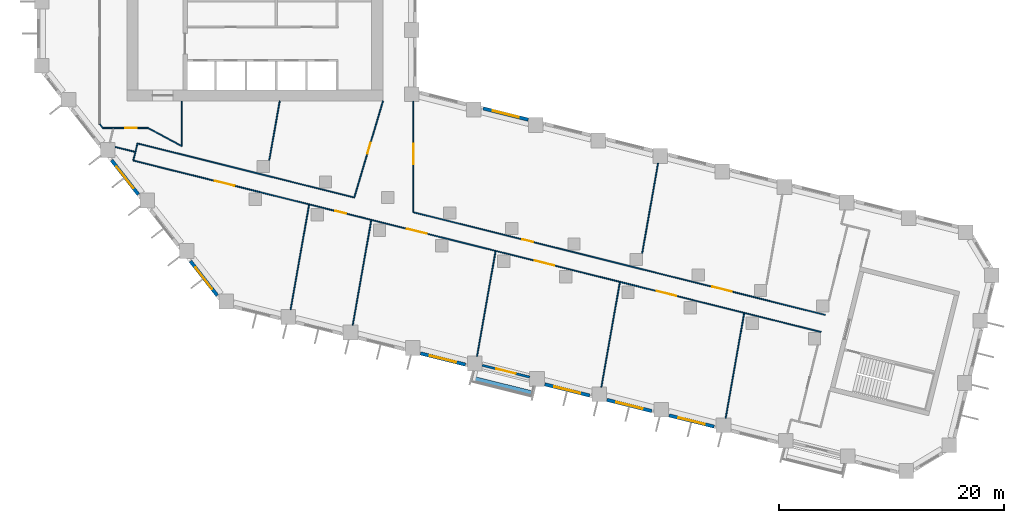
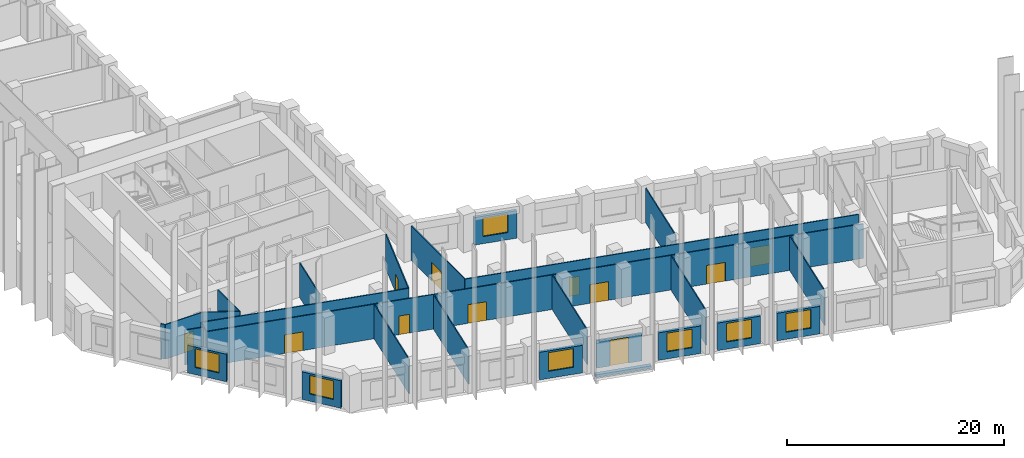
# One storey, part 3 of 10: 27 walls, 11 doors, 7 windows, 18 openings.
"""IFC4 building model written with IfcOpenShell, lengths in metres."""

from ifc_helpers import new_model, si_unit, direction, frame, frame_2d, origin, place, context, subcontext, project, spatial, rectangle, extrude, material, layer, layer_set, type_object, element, fill, save


model = new_model("IFC4")

# Units and contexts
model_context = context("Model", 3, precision=1e-05, world=origin(), true_north=direction((0.0, 1.0)))
body_context = subcontext(model_context, "Body", "Model", "MODEL_VIEW")
ifc_project = project(units=[si_unit("LENGTHUNIT", "METRE"), si_unit("AREAUNIT", "SQUARE_METRE"), si_unit("VOLUMEUNIT", "CUBIC_METRE"), si_unit("PLANEANGLEUNIT", "RADIAN"), si_unit("MASSUNIT", "GRAM", prefix="KILO")], contexts=[model_context])

# Site, building, storey
site_placement = place(None, origin())
site = spatial("IfcSite", under=ifc_project, at=site_placement, CompositionType="ELEMENT")
building_placement = place(site_placement, origin())
building = spatial("IfcBuilding", under=site, at=building_placement, Name="Meshkara Civic Tower", CompositionType="ELEMENT")
storey_placement = place(building_placement, frame((0.0, 0.0, 114.0)))
storey = spatial("IfcBuildingStorey", under=building, at=storey_placement, Name="L25", CompositionType="ELEMENT", Elevation=114.0)

# Wall
ifc_material_1 = material(Name="Corridor wall 100")
ifc_layer_1 = layer(ifc_material_1, 0.10009765625)
ifc_layer_set_1 = layer_set([ifc_layer_1], Name="Corridor wall 100")
wall_type_1 = type_object("IfcWallType", Name="Corridor wall 100", PredefinedType="PARTITIONING", material=ifc_layer_set_1)
wall_1_placement = place(storey_placement, frame((5.60009765625, 12.04296875, 0.0), z_axis=(0.0, 0.0, 1.0), x_axis=(0.615415398102, -0.788202948344, 0.0)))
element("IfcWall", 1, at=wall_1_placement, inside=storey, type_object=wall_type_1, Name="L25-W003", PredefinedType="PARTITIONING", context=body_context, shape_type="SweptSolid", body=[
    extrude(rectangle(XDim=0.435302734375, YDim=0.10009765625, at=frame_2d((0.2177734375, 0.0))), origin(), (0.0, 0.0, 1.0), 3.89990234375),
])

# Wall, opening, door
wall_2_placement = place(storey_placement, frame((5.867919921875, 11.699951171875, 0.0), z_axis=(0.0, 0.0, 1.0), x_axis=(1.0, 0.0, 0.0)))
wall_2 = element("IfcWall", 2, at=wall_2_placement, inside=storey, type_object=wall_type_1, Name="L25-W006", PredefinedType="PARTITIONING", context=body_context, shape_type="SweptSolid", body=[
    extrude(rectangle(XDim=4.031982421875, YDim=0.10009765625, at=frame_2d((2.01611328125, 0.0))), origin(), (0.0, 0.0, 1.0), 3.89990234375),
])
opening_1_placement = place(wall_2_placement, frame((2.009033203125, 0.0, 0.0)))
opening_1 = element("IfcOpeningElement", 3, at=opening_1_placement, cuts=wall_2, Name="Opening L25-D011", PredefinedType="OPENING", context=body_context, shape_type="SweptSolid", body=[
    extrude(rectangle(XDim=1.0, YDim=2.10009765625, at=frame_2d((0.5, 1.050048828125))), frame((0.0, 0.06005859375, 0.0), z_axis=(0.0, -1.0, 0.0), x_axis=(1.0, 0.0, 0.0)), (0.0, 0.0, 1.0), 0.1201171875),
])
ifc_material_2 = material(Name="Door 1000 x 2100")
door_type_1 = type_object("IfcDoorType", Name="Door 1000 x 2100", OperationType="SINGLE_SWING_LEFT", PredefinedType="DOOR", material=ifc_material_2)
door_1_placement = place(opening_1_placement, origin())
door_1 = element("IfcDoor", 4, at=door_1_placement, inside=storey, type_object=door_type_1, Name="L25-D011", OperationType="SINGLE_SWING_LEFT", OverallHeight=2.10009765625, OverallWidth=1.0, PredefinedType="DOOR", context=body_context, shape_type="SweptSolid", body=[
    extrude(rectangle(XDim=1.0, YDim=2.10009765625, at=frame_2d((0.5, 1.050048828125))), frame((0.0, 0.02490234375, 0.0), z_axis=(0.0, -1.0, 0.0), x_axis=(1.0, 0.0, 0.0)), (0.0, 0.0, 1.0), 0.050048828125),
])
fill(opening_1, door_1)

# Wall, openings, doors
wall_3_placement = place(storey_placement, frame((8.5791015625, 8.802978515625, 0.0), z_axis=(0.0, 0.0, 1.0), x_axis=(0.9702968999, -0.241917188404, 0.0)))
wall_3 = element("IfcWall", 5, at=wall_3_placement, inside=storey, type_object=wall_type_1, Name="L25-W009", PredefinedType="PARTITIONING", context=body_context, shape_type="SweptSolid", body=[
    extrude(rectangle(XDim=63.075439453125, YDim=0.10009765625, at=frame_2d((31.53759765625, 0.0))), origin(), (0.0, 0.0, 1.0), 3.89990234375),
])
opening_2_placement = place(wall_3_placement, frame((36.81005859375, 0.0, 0.0)))
opening_2 = element("IfcOpeningElement", 6, at=opening_2_placement, cuts=wall_3, Name="Opening L25-D003", PredefinedType="OPENING", context=body_context, shape_type="SweptSolid", body=[
    extrude(rectangle(XDim=1.800048828125, YDim=2.10009765625, at=frame_2d((0.89990234375, 1.050048828125))), frame((0.0, 0.06005859375, 0.0), z_axis=(0.0, -1.0, 0.0), x_axis=(1.0, 0.0, 0.0)), (0.0, 0.0, 1.0), 0.1201171875),
])
opening_3_placement = place(wall_3_placement, frame((48.010986328125, 0.0, 0.0)))
opening_3 = element("IfcOpeningElement", 7, at=opening_3_placement, cuts=wall_3, Name="Opening L25-D004", PredefinedType="OPENING", context=body_context, shape_type="SweptSolid", body=[
    extrude(rectangle(XDim=1.800048828125, YDim=2.10009765625, at=frame_2d((0.89990234375, 1.050048828125))), frame((0.0, 0.06005859375, 0.0), z_axis=(0.0, -1.0, 0.0), x_axis=(1.0, 0.0, 0.0)), (0.0, 0.0, 1.0), 0.1201171875),
])
opening_4_placement = place(wall_3_placement, frame((18.510009765625, 0.0, 0.0)))
opening_4 = element("IfcOpeningElement", 8, at=opening_4_placement, cuts=wall_3, Name="Opening L25-D007", PredefinedType="OPENING", context=body_context, shape_type="SweptSolid", body=[
    extrude(rectangle(XDim=1.0, YDim=2.10009765625, at=frame_2d((0.5, 1.050048828125))), frame((0.0, 0.06005859375, 0.0), z_axis=(0.0, -1.0, 0.0), x_axis=(1.0, 0.0, 0.0)), (0.0, 0.0, 1.0), 0.1201171875),
])
opening_5_placement = place(wall_3_placement, frame((25.110107421875, 0.0, 0.0)))
opening_5 = element("IfcOpeningElement", 9, at=opening_5_placement, cuts=wall_3, Name="Opening L25-D008", PredefinedType="OPENING", context=body_context, shape_type="SweptSolid", body=[
    extrude(rectangle(XDim=1.800048828125, YDim=2.10009765625, at=frame_2d((0.89990234375, 1.050048828125))), frame((0.0, 0.06005859375, 0.0), z_axis=(0.0, -1.0, 0.0), x_axis=(1.0, 0.0, 0.0)), (0.0, 0.0, 1.0), 0.1201171875),
])
opening_6_placement = place(wall_3_placement, frame((7.47998046875, 0.0, 0.0)))
opening_6 = element("IfcOpeningElement", 10, at=opening_6_placement, cuts=wall_3, Name="Opening L25-D012", PredefinedType="OPENING", context=body_context, shape_type="SweptSolid", body=[
    extrude(rectangle(XDim=1.800048828125, YDim=2.10009765625, at=frame_2d((0.89990234375, 1.050048828125))), frame((0.0, 0.06005859375, 0.0), z_axis=(0.0, -1.0, 0.0), x_axis=(1.0, 0.0, 0.0)), (0.0, 0.0, 1.0), 0.1201171875),
])
door_2_placement = place(opening_4_placement, origin())
door_2 = element("IfcDoor", 11, at=door_2_placement, inside=storey, type_object=door_type_1, Name="L25-D007", OperationType="SINGLE_SWING_LEFT", OverallHeight=2.10009765625, OverallWidth=1.0, PredefinedType="DOOR", context=body_context, shape_type="SweptSolid", body=[
    extrude(rectangle(XDim=1.0, YDim=2.10009765625, at=frame_2d((0.5, 1.050048828125))), frame((0.0, 0.02490234375, 0.0), z_axis=(0.0, -1.0, 0.0), x_axis=(1.0, 0.0, 0.0)), (0.0, 0.0, 1.0), 0.050048828125),
])
fill(opening_4, door_2)
ifc_material_3 = material(Name="Door pair 1800 x 2100")
door_type_2 = type_object("IfcDoorType", Name="Door pair 1800 x 2100", OperationType="SINGLE_SWING_LEFT", PredefinedType="DOOR", material=ifc_material_3)
door_3_placement = place(opening_2_placement, origin())
door_3 = element("IfcDoor", 12, at=door_3_placement, inside=storey, type_object=door_type_2, Name="L25-D003", OperationType="DOUBLE_DOOR_SINGLE_SWING", OverallHeight=2.10009765625, OverallWidth=1.800048828125, PredefinedType="DOOR", context=body_context, shape_type="SweptSolid", body=[
    extrude(rectangle(XDim=1.800048828125, YDim=2.10009765625, at=frame_2d((0.89990234375, 1.050048828125))), frame((0.0, 0.02490234375, 0.0), z_axis=(0.0, -1.0, 0.0), x_axis=(1.0, 0.0, 0.0)), (0.0, 0.0, 1.0), 0.050048828125),
])
fill(opening_2, door_3)
door_4_placement = place(opening_3_placement, origin())
door_4 = element("IfcDoor", 13, at=door_4_placement, inside=storey, type_object=door_type_2, Name="L25-D004", OperationType="DOUBLE_DOOR_SINGLE_SWING", OverallHeight=2.10009765625, OverallWidth=1.800048828125, PredefinedType="DOOR", context=body_context, shape_type="SweptSolid", body=[
    extrude(rectangle(XDim=1.800048828125, YDim=2.10009765625, at=frame_2d((0.89990234375, 1.050048828125))), frame((0.0, 0.02490234375, 0.0), z_axis=(0.0, -1.0, 0.0), x_axis=(1.0, 0.0, 0.0)), (0.0, 0.0, 1.0), 0.050048828125),
])
fill(opening_3, door_4)
door_5_placement = place(opening_5_placement, origin())
door_5 = element("IfcDoor", 14, at=door_5_placement, inside=storey, type_object=door_type_2, Name="L25-D008", OperationType="DOUBLE_DOOR_SINGLE_SWING", OverallHeight=2.10009765625, OverallWidth=1.800048828125, PredefinedType="DOOR", context=body_context, shape_type="SweptSolid", body=[
    extrude(rectangle(XDim=1.800048828125, YDim=2.10009765625, at=frame_2d((0.89990234375, 1.050048828125))), frame((0.0, 0.02490234375, 0.0), z_axis=(0.0, -1.0, 0.0), x_axis=(1.0, 0.0, 0.0)), (0.0, 0.0, 1.0), 0.050048828125),
])
fill(opening_5, door_5)
door_6_placement = place(opening_6_placement, origin())
door_6 = element("IfcDoor", 15, at=door_6_placement, inside=storey, type_object=door_type_2, Name="L25-D012", OperationType="DOUBLE_DOOR_SINGLE_SWING", OverallHeight=2.10009765625, OverallWidth=1.800048828125, PredefinedType="DOOR", context=body_context, shape_type="SweptSolid", body=[
    extrude(rectangle(XDim=1.800048828125, YDim=2.10009765625, at=frame_2d((0.89990234375, 1.050048828125))), frame((0.0, 0.02490234375, 0.0), z_axis=(0.0, -1.0, 0.0), x_axis=(1.0, 0.0, 0.0)), (0.0, 0.0, 1.0), 0.050048828125),
])
fill(opening_6, door_6)

# Walls
wall_4_placement = place(storey_placement, frame((8.9580078125, 10.322998046875, 0.0), z_axis=(0.0, 0.0, 1.0), x_axis=(0.970298340477, -0.241911410372, 0.0)))
element("IfcWall", 16, at=wall_4_placement, inside=storey, type_object=wall_type_1, Name="L25-W010", PredefinedType="PARTITIONING", context=body_context, shape_type="SweptSolid", body=[
    extrude(rectangle(XDim=19.879638671875, YDim=0.10009765625, at=frame_2d((9.93994140625, 0.0))), origin(), (0.0, 0.0, 1.0), 3.89990234375),
])
wall_5_placement = place(storey_placement, frame((8.9580078125, 10.322998046875, 0.0), z_axis=(0.0, 0.0, 1.0), x_axis=(-0.241875508386, -0.97030729073, 0.0)))
element("IfcWall", 17, at=wall_5_placement, inside=storey, type_object=wall_type_1, Name="L25-W011", PredefinedType="PARTITIONING", context=body_context, shape_type="SweptSolid", body=[
    extrude(rectangle(XDim=1.566650390625, YDim=0.10009765625, at=frame_2d((0.783203125, 0.0))), origin(), (0.0, 0.0, 1.0), 3.89990234375),
])
wall_6_placement = place(storey_placement, frame((9.89990234375, 11.699951171875, 0.0), z_axis=(0.0, 0.0, 1.0), x_axis=(0.87965147249, -0.475618846291, 0.0)))
element("IfcWall", 18, at=wall_6_placement, inside=storey, type_object=wall_type_1, Name="L25-W012", PredefinedType="PARTITIONING", context=body_context, shape_type="SweptSolid", body=[
    extrude(rectangle(XDim=3.410400390625, YDim=0.10009765625, at=frame_2d((1.705078125, 0.0))), origin(), (0.0, 0.0, 1.0), 3.89990234375),
])
wall_7_placement = place(storey_placement, frame((12.89990234375, 10.077880859375, 0.0), z_axis=(0.0, 0.0, 1.0), x_axis=(0.0, 1.0, 0.0)))
element("IfcWall", 19, at=wall_7_placement, inside=storey, type_object=wall_type_1, Name="L25-W015", PredefinedType="PARTITIONING", context=body_context, shape_type="SweptSolid", body=[
    extrude(rectangle(XDim=4.022216796875, YDim=0.10009765625, at=frame_2d((2.01123046875, 0.0))), origin(), (0.0, 0.0, 1.0), 3.89990234375),
])

# Wall, opening, door
wall_8_placement = place(storey_placement, frame((30.800048828125, 14.10009765625, 0.0), z_axis=(0.0, 0.0, 1.0), x_axis=(-0.285004107837, -0.958526295162, 0.0)))
wall_8 = element("IfcWall", 20, at=wall_8_placement, inside=storey, type_object=wall_type_1, Name="L25-W021", PredefinedType="PARTITIONING", context=body_context, shape_type="SweptSolid", body=[
    extrude(rectangle(XDim=8.957763671875, YDim=0.10009765625, at=frame_2d((4.47900390625, 0.0))), origin(), (0.0, 0.0, 1.0), 3.89990234375),
])
opening_7_placement = place(wall_8_placement, frame((3.8798828125, 0.0, 0.0)))
opening_7 = element("IfcOpeningElement", 21, at=opening_7_placement, cuts=wall_8, Name="Opening L25-D013", PredefinedType="OPENING", context=body_context, shape_type="SweptSolid", body=[
    extrude(rectangle(XDim=1.0, YDim=2.10009765625, at=frame_2d((0.5, 1.050048828125))), frame((0.0, 0.06005859375, 0.0), z_axis=(0.0, -1.0, 0.0), x_axis=(1.0, 0.0, 0.0)), (0.0, 0.0, 1.0), 0.1201171875),
])
door_7_placement = place(opening_7_placement, origin())
door_7 = element("IfcDoor", 22, at=door_7_placement, inside=storey, type_object=door_type_1, Name="L25-D013", OperationType="SINGLE_SWING_RIGHT", OverallHeight=2.10009765625, OverallWidth=1.0, PredefinedType="DOOR", context=body_context, shape_type="SweptSolid", body=[
    extrude(rectangle(XDim=1.0, YDim=2.10009765625, at=frame_2d((0.5, 1.050048828125))), frame((0.0, 0.02490234375, 0.0), z_axis=(0.0, -1.0, 0.0), x_axis=(1.0, 0.0, 0.0)), (0.0, 0.0, 1.0), 0.050048828125),
])
fill(opening_7, door_7)

# Wall, openings, doors
wall_9_placement = place(storey_placement, frame((33.5, 4.2041015625, 0.0), z_axis=(0.0, 0.0, 1.0), x_axis=(0.970297005816, -0.241916763589, 0.0)))
wall_9 = element("IfcWall", 23, at=wall_9_placement, inside=storey, type_object=wall_type_1, Name="L25-W022", PredefinedType="PARTITIONING", context=body_context, shape_type="SweptSolid", body=[
    extrude(rectangle(XDim=37.7822265625, YDim=0.10009765625, at=frame_2d((18.89111328125, 0.0))), origin(), (0.0, 0.0, 1.0), 3.89990234375),
])
opening_8_placement = place(wall_9_placement, frame((27.4169921875, 0.0, 0.0)))
opening_8 = element("IfcOpeningElement", 24, at=opening_8_placement, cuts=wall_9, Name="Opening L25-D005", PredefinedType="OPENING", context=body_context, shape_type="SweptSolid", body=[
    extrude(rectangle(XDim=1.800048828125, YDim=2.10009765625, at=frame_2d((0.89990234375, 1.050048828125))), frame((0.0, 0.06005859375, 0.0), z_axis=(0.0, -1.0, 0.0), x_axis=(1.0, 0.0, 0.0)), (0.0, 0.0, 1.0), 0.1201171875),
])
opening_9_placement = place(wall_9_placement, frame((9.97998046875, 0.0, 0.0)))
opening_9 = element("IfcOpeningElement", 25, at=opening_9_placement, cuts=wall_9, Name="Opening L25-D009", PredefinedType="OPENING", context=body_context, shape_type="SweptSolid", body=[
    extrude(rectangle(XDim=1.0, YDim=2.10009765625, at=frame_2d((0.5, 1.050048828125))), frame((0.0, 0.06005859375, 0.0), z_axis=(0.0, -1.0, 0.0), x_axis=(1.0, 0.0, 0.0)), (0.0, 0.0, 1.0), 0.1201171875),
])
door_8_placement = place(opening_9_placement, origin())
door_8 = element("IfcDoor", 26, at=door_8_placement, inside=storey, type_object=door_type_1, Name="L25-D009", OperationType="SINGLE_SWING_RIGHT", OverallHeight=2.10009765625, OverallWidth=1.0, PredefinedType="DOOR", context=body_context, shape_type="SweptSolid", body=[
    extrude(rectangle(XDim=1.0, YDim=2.10009765625, at=frame_2d((0.5, 1.050048828125))), frame((0.0, 0.02490234375, 0.0), z_axis=(0.0, -1.0, 0.0), x_axis=(1.0, 0.0, 0.0)), (0.0, 0.0, 1.0), 0.050048828125),
])
fill(opening_9, door_8)
door_9_placement = place(opening_8_placement, origin())
door_9 = element("IfcDoor", 27, at=door_9_placement, inside=storey, type_object=door_type_2, Name="L25-D005", OperationType="DOUBLE_DOOR_SINGLE_SWING", OverallHeight=2.10009765625, OverallWidth=1.800048828125, PredefinedType="DOOR", context=body_context, shape_type="SweptSolid", body=[
    extrude(rectangle(XDim=1.800048828125, YDim=2.10009765625, at=frame_2d((0.89990234375, 1.050048828125))), frame((0.0, 0.02490234375, 0.0), z_axis=(0.0, -1.0, 0.0), x_axis=(1.0, 0.0, 0.0)), (0.0, 0.0, 1.0), 0.050048828125),
])
fill(opening_8, door_9)

# Wall, opening, door
wall_10_placement = place(storey_placement, frame((33.5, 4.2041015625, 0.0), z_axis=(0.0, 0.0, 1.0), x_axis=(0.0, 1.0, 0.0)))
wall_10 = element("IfcWall", 28, at=wall_10_placement, inside=storey, type_object=wall_type_1, Name="L25-W023", PredefinedType="PARTITIONING", context=body_context, shape_type="SweptSolid", body=[
    extrude(rectangle(XDim=9.864990234375, YDim=0.10009765625, at=frame_2d((4.9326171875, 0.0))), origin(), (0.0, 0.0, 1.0), 3.89990234375),
])
opening_10_placement = place(wall_10_placement, frame((4.280029296875, 0.0, 0.0)))
opening_10 = element("IfcOpeningElement", 29, at=opening_10_placement, cuts=wall_10, Name="Opening L25-D014", PredefinedType="OPENING", context=body_context, shape_type="SweptSolid", body=[
    extrude(rectangle(XDim=1.800048828125, YDim=2.10009765625, at=frame_2d((0.89990234375, 1.050048828125))), frame((0.0, 0.06005859375, 0.0), z_axis=(0.0, -1.0, 0.0), x_axis=(1.0, 0.0, 0.0)), (0.0, 0.0, 1.0), 0.1201171875),
])
door_10_placement = place(opening_10_placement, origin())
door_10 = element("IfcDoor", 30, at=door_10_placement, inside=storey, type_object=door_type_2, Name="L25-D014", OperationType="DOUBLE_DOOR_SINGLE_SWING", OverallHeight=2.10009765625, OverallWidth=1.800048828125, PredefinedType="DOOR", context=body_context, shape_type="SweptSolid", body=[
    extrude(rectangle(XDim=1.800048828125, YDim=2.10009765625, at=frame_2d((0.89990234375, 1.050048828125))), frame((0.0, 0.02490234375, 0.0), z_axis=(0.0, -1.0, 0.0), x_axis=(1.0, 0.0, 0.0)), (0.0, 0.0, 1.0), 0.050048828125),
])
fill(opening_10, door_10)

# Wall, opening, window
ifc_material_4 = material(Name="Insulated infill panel with bronze anodised aluminium cladding", Category="aluminium")
ifc_layer_2 = layer(ifc_material_4, 0.300048828125)
ifc_layer_set_2 = layer_set([ifc_layer_2], Name="EXTERNAL INFILL WALL 300")
wall_type_2 = type_object("IfcWallType", Name="EXTERNAL INFILL WALL 300", PredefinedType="SOLIDWALL", material=ifc_layer_set_2)
wall_11_placement = place(storey_placement, frame((43.718994140625, 12.443115234375, 0.0), z_axis=(0.0, 0.0, 1.0), x_axis=(-0.970281650314, 0.241978344205, 0.0)))
wall_11 = element("IfcWall", 31, at=wall_11_placement, inside=storey, type_object=wall_type_2, Name="External wall", PredefinedType="SOLIDWALL", context=body_context, shape_type="SweptSolid", body=[
    extrude(rectangle(XDim=4.12353515625, YDim=0.300048828125, at=frame_2d((2.061767578125, 0.0))), origin(), (0.0, 0.0, 1.0), 3.10009765625),
])
opening_11_placement = place(wall_11_placement, frame((0.862060546875, 0.0, 0.800048828125)))
opening_11 = element("IfcOpeningElement", 32, at=opening_11_placement, cuts=wall_11, Name="Opening W7", PredefinedType="OPENING", context=body_context, shape_type="SweptSolid", body=[
    extrude(rectangle(XDim=2.39990234375, YDim=2.10009765625, at=frame_2d((1.199951171875, 1.050048828125))), frame((0.0, 0.159912109375, 0.0), z_axis=(0.0, -1.0, 0.0), x_axis=(1.0, 0.0, 0.0)), (0.0, 0.0, 1.0), 0.320068359375),
])
ifc_material_5 = material(Name="Tinted double glazing", Category="glass")
window_type = type_object("IfcWindowType", Name="WINDOW 2400x2100", PartitioningType="DOUBLE_PANEL_VERTICAL", PredefinedType="WINDOW", material=ifc_material_5)
window_1_placement = place(opening_11_placement, origin())
window_1 = element("IfcWindow", 33, at=window_1_placement, inside=storey, type_object=window_type, Name="Window", OverallHeight=2.10009765625, OverallWidth=2.39990234375, PartitioningType="DOUBLE_PANEL_VERTICAL", PredefinedType="WINDOW", context=body_context, shape_type="SweptSolid", body=[
    extrude(rectangle(XDim=2.39990234375, YDim=2.10009765625, at=frame_2d((1.199951171875, 1.050048828125))), frame((0.0, 0.030029296875, 0.0), z_axis=(0.0, -1.0, 0.0), x_axis=(1.0, 0.0, 0.0)), (0.0, 0.0, 1.0), 0.06005859375),
])
fill(opening_11, window_1)

wall_12_placement = place(storey_placement, frame((6.64892578125, 8.833984375, 0.0), z_axis=(0.0, 0.0, 1.0), x_axis=(0.615535257281, -0.788109349674, 0.0)))
wall_12 = element("IfcWall", 34, at=wall_12_placement, inside=storey, type_object=wall_type_2, Name="External wall", PredefinedType="SOLIDWALL", context=body_context, shape_type="SweptSolid", body=[
    extrude(rectangle(XDim=3.876220703125, YDim=0.300048828125, at=frame_2d((1.93798828125, 0.0))), origin(), (0.0, 0.0, 1.0), 3.10009765625),
])
opening_12_placement = place(wall_12_placement, frame((0.738037109375, 0.0, 0.800048828125)))
opening_12 = element("IfcOpeningElement", 35, at=opening_12_placement, cuts=wall_12, Name="Opening W7", PredefinedType="OPENING", context=body_context, shape_type="SweptSolid", body=[
    extrude(rectangle(XDim=2.39990234375, YDim=2.10009765625, at=frame_2d((1.199951171875, 1.050048828125))), frame((0.0, 0.159912109375, 0.0), z_axis=(0.0, -1.0, 0.0), x_axis=(1.0, 0.0, 0.0)), (0.0, 0.0, 1.0), 0.320068359375),
])
window_2_placement = place(opening_12_placement, origin())
window_2 = element("IfcWindow", 36, at=window_2_placement, inside=storey, type_object=window_type, Name="Window", OverallHeight=2.10009765625, OverallWidth=2.39990234375, PartitioningType="DOUBLE_PANEL_VERTICAL", PredefinedType="WINDOW", context=body_context, shape_type="SweptSolid", body=[
    extrude(rectangle(XDim=2.39990234375, YDim=2.10009765625, at=frame_2d((1.199951171875, 1.050048828125))), frame((0.0, 0.030029296875, 0.0), z_axis=(0.0, -1.0, 0.0), x_axis=(1.0, 0.0, 0.0)), (0.0, 0.0, 1.0), 0.06005859375),
])
fill(opening_12, window_2)

wall_13_placement = place(storey_placement, frame((13.6669921875, -0.14990234375, 0.0), z_axis=(0.0, 0.0, 1.0), x_axis=(0.615626928003, -0.788037743714, 0.0)))
wall_13 = element("IfcWall", 37, at=wall_13_placement, inside=storey, type_object=wall_type_2, Name="External wall", PredefinedType="SOLIDWALL", context=body_context, shape_type="SweptSolid", body=[
    extrude(rectangle(XDim=3.875732421875, YDim=0.300048828125, at=frame_2d((1.93798828125, 0.0))), origin(), (0.0, 0.0, 1.0), 3.10009765625),
])
opening_13_placement = place(wall_13_placement, frame((0.738037109375, 0.0, 0.800048828125)))
opening_13 = element("IfcOpeningElement", 38, at=opening_13_placement, cuts=wall_13, Name="Opening W7", PredefinedType="OPENING", context=body_context, shape_type="SweptSolid", body=[
    extrude(rectangle(XDim=2.39990234375, YDim=2.10009765625, at=frame_2d((1.199951171875, 1.050048828125))), frame((0.0, 0.159912109375, 0.0), z_axis=(0.0, -1.0, 0.0), x_axis=(1.0, 0.0, 0.0)), (0.0, 0.0, 1.0), 0.320068359375),
])
window_3_placement = place(opening_13_placement, origin())
window_3 = element("IfcWindow", 39, at=window_3_placement, inside=storey, type_object=window_type, Name="Window", OverallHeight=2.10009765625, OverallWidth=2.39990234375, PartitioningType="DOUBLE_PANEL_VERTICAL", PredefinedType="WINDOW", context=body_context, shape_type="SweptSolid", body=[
    extrude(rectangle(XDim=2.39990234375, YDim=2.10009765625, at=frame_2d((1.199951171875, 1.050048828125))), frame((0.0, 0.030029296875, 0.0), z_axis=(0.0, -1.0, 0.0), x_axis=(1.0, 0.0, 0.0)), (0.0, 0.0, 1.0), 0.06005859375),
])
fill(opening_13, window_3)

wall_14_placement = place(storey_placement, frame((34.135009765625, -8.35595703125, 0.0), z_axis=(0.0, 0.0, 1.0), x_axis=(0.970281616392, -0.241978480223, 0.0)))
wall_14 = element("IfcWall", 40, at=wall_14_placement, inside=storey, type_object=wall_type_2, Name="External wall", PredefinedType="SOLIDWALL", context=body_context, shape_type="SweptSolid", body=[
    extrude(rectangle(XDim=4.12451171875, YDim=0.300048828125, at=frame_2d((2.062255859375, 0.0))), origin(), (0.0, 0.0, 1.0), 3.10009765625),
])
opening_14_placement = place(wall_14_placement, frame((0.862060546875, 0.0, 0.800048828125)))
opening_14 = element("IfcOpeningElement", 41, at=opening_14_placement, cuts=wall_14, Name="Opening W7", PredefinedType="OPENING", context=body_context, shape_type="SweptSolid", body=[
    extrude(rectangle(XDim=2.39990234375, YDim=2.10009765625, at=frame_2d((1.199951171875, 1.050048828125))), frame((0.0, 0.159912109375, 0.0), z_axis=(0.0, -1.0, 0.0), x_axis=(1.0, 0.0, 0.0)), (0.0, 0.0, 1.0), 0.320068359375),
])
window_4_placement = place(opening_14_placement, origin())
window_4 = element("IfcWindow", 42, at=window_4_placement, inside=storey, type_object=window_type, Name="Window", OverallHeight=2.10009765625, OverallWidth=2.39990234375, PartitioningType="DOUBLE_PANEL_VERTICAL", PredefinedType="WINDOW", context=body_context, shape_type="SweptSolid", body=[
    extrude(rectangle(XDim=2.39990234375, YDim=2.10009765625, at=frame_2d((1.199951171875, 1.050048828125))), frame((0.0, 0.030029296875, 0.0), z_axis=(0.0, -1.0, 0.0), x_axis=(1.0, 0.0, 0.0)), (0.0, 0.0, 1.0), 0.06005859375),
])
fill(opening_14, window_4)

wall_15_placement = place(storey_placement, frame((45.197021484375, -11.114013671875, 0.0), z_axis=(0.0, 0.0, 1.0), x_axis=(0.970267747908, -0.242034083076, 0.0)))
wall_15 = element("IfcWall", 43, at=wall_15_placement, inside=storey, type_object=wall_type_2, Name="External wall", PredefinedType="SOLIDWALL", context=body_context, shape_type="SweptSolid", body=[
    extrude(rectangle(XDim=4.12353515625, YDim=0.300048828125, at=frame_2d((2.061767578125, 0.0))), origin(), (0.0, 0.0, 1.0), 3.10009765625),
])
opening_15_placement = place(wall_15_placement, frame((0.862060546875, 0.0, 0.800048828125)))
opening_15 = element("IfcOpeningElement", 44, at=opening_15_placement, cuts=wall_15, Name="Opening W7", PredefinedType="OPENING", context=body_context, shape_type="SweptSolid", body=[
    extrude(rectangle(XDim=2.39990234375, YDim=2.10009765625, at=frame_2d((1.199951171875, 1.050048828125))), frame((0.0, 0.159912109375, 0.0), z_axis=(0.0, -1.0, 0.0), x_axis=(1.0, 0.0, 0.0)), (0.0, 0.0, 1.0), 0.320068359375),
])
window_5_placement = place(opening_15_placement, origin())
window_5 = element("IfcWindow", 45, at=window_5_placement, inside=storey, type_object=window_type, Name="Window", OverallHeight=2.10009765625, OverallWidth=2.39990234375, PartitioningType="DOUBLE_PANEL_VERTICAL", PredefinedType="WINDOW", context=body_context, shape_type="SweptSolid", body=[
    extrude(rectangle(XDim=2.39990234375, YDim=2.10009765625, at=frame_2d((1.199951171875, 1.050048828125))), frame((0.0, 0.030029296875, 0.0), z_axis=(0.0, -1.0, 0.0), x_axis=(1.0, 0.0, 0.0)), (0.0, 0.0, 1.0), 0.06005859375),
])
fill(opening_15, window_5)

wall_16_placement = place(storey_placement, frame((50.72705078125, -12.492919921875, 0.0), z_axis=(0.0, 0.0, 1.0), x_axis=(0.970281616392, -0.241978480223, 0.0)))
wall_16 = element("IfcWall", 46, at=wall_16_placement, inside=storey, type_object=wall_type_2, Name="External wall", PredefinedType="SOLIDWALL", context=body_context, shape_type="SweptSolid", body=[
    extrude(rectangle(XDim=4.12451171875, YDim=0.300048828125, at=frame_2d((2.062255859375, 0.0))), origin(), (0.0, 0.0, 1.0), 3.10009765625),
])
opening_16_placement = place(wall_16_placement, frame((0.862060546875, 0.0, 0.800048828125)))
opening_16 = element("IfcOpeningElement", 47, at=opening_16_placement, cuts=wall_16, Name="Opening W7", PredefinedType="OPENING", context=body_context, shape_type="SweptSolid", body=[
    extrude(rectangle(XDim=2.39990234375, YDim=2.10009765625, at=frame_2d((1.199951171875, 1.050048828125))), frame((0.0, 0.159912109375, 0.0), z_axis=(0.0, -1.0, 0.0), x_axis=(1.0, 0.0, 0.0)), (0.0, 0.0, 1.0), 0.320068359375),
])
window_6_placement = place(opening_16_placement, origin())
window_6 = element("IfcWindow", 48, at=window_6_placement, inside=storey, type_object=window_type, Name="Window", OverallHeight=2.10009765625, OverallWidth=2.39990234375, PartitioningType="DOUBLE_PANEL_VERTICAL", PredefinedType="WINDOW", context=body_context, shape_type="SweptSolid", body=[
    extrude(rectangle(XDim=2.39990234375, YDim=2.10009765625, at=frame_2d((1.199951171875, 1.050048828125))), frame((0.0, 0.030029296875, 0.0), z_axis=(0.0, -1.0, 0.0), x_axis=(1.0, 0.0, 0.0)), (0.0, 0.0, 1.0), 0.06005859375),
])
fill(opening_16, window_6)

wall_17_placement = place(storey_placement, frame((56.258056640625, -13.8720703125, 0.0), z_axis=(0.0, 0.0, 1.0), x_axis=(0.970281616392, -0.241978480223, 0.0)))
wall_17 = element("IfcWall", 49, at=wall_17_placement, inside=storey, type_object=wall_type_2, Name="External wall", PredefinedType="SOLIDWALL", context=body_context, shape_type="SweptSolid", body=[
    extrude(rectangle(XDim=4.12451171875, YDim=0.300048828125, at=frame_2d((2.062255859375, 0.0))), origin(), (0.0, 0.0, 1.0), 3.10009765625),
])
opening_17_placement = place(wall_17_placement, frame((0.862060546875, 0.0, 0.800048828125)))
opening_17 = element("IfcOpeningElement", 50, at=opening_17_placement, cuts=wall_17, Name="Opening W7", PredefinedType="OPENING", context=body_context, shape_type="SweptSolid", body=[
    extrude(rectangle(XDim=2.39990234375, YDim=2.10009765625, at=frame_2d((1.199951171875, 1.050048828125))), frame((0.0, 0.159912109375, 0.0), z_axis=(0.0, -1.0, 0.0), x_axis=(1.0, 0.0, 0.0)), (0.0, 0.0, 1.0), 0.320068359375),
])
window_7_placement = place(opening_17_placement, origin())
window_7 = element("IfcWindow", 51, at=window_7_placement, inside=storey, type_object=window_type, Name="Window", OverallHeight=2.10009765625, OverallWidth=2.39990234375, PartitioningType="DOUBLE_PANEL_VERTICAL", PredefinedType="WINDOW", context=body_context, shape_type="SweptSolid", body=[
    extrude(rectangle(XDim=2.39990234375, YDim=2.10009765625, at=frame_2d((1.199951171875, 1.050048828125))), frame((0.0, 0.030029296875, 0.0), z_axis=(0.0, -1.0, 0.0), x_axis=(1.0, 0.0, 0.0)), (0.0, 0.0, 1.0), 0.06005859375),
])
fill(opening_17, window_7)

# Wall, opening, door
ifc_material_6 = material(Name="Insulated infill panel with bronze anodised aluminium cladding", Category="aluminium")
ifc_layer_3 = layer(ifc_material_6, 0.199951171875)
ifc_layer_set_3 = layer_set([ifc_layer_3], Name="LOGGIA BACK WALL 200")
wall_type_3 = type_object("IfcWallType", Name="LOGGIA BACK WALL 200", PredefinedType="SOLIDWALL", material=ifc_layer_set_3)
wall_18_placement = place(storey_placement, frame((39.6240234375, -9.416015625, 0.0), z_axis=(0.0, 0.0, 1.0), x_axis=(0.970346363444, -0.241718710386, 0.0)))
wall_18 = element("IfcWall", 52, at=wall_18_placement, inside=storey, type_object=wall_type_3, Name="Loggia wall", PredefinedType="SOLIDWALL", context=body_context, shape_type="SweptSolid", body=[
    extrude(rectangle(XDim=4.3603515625, YDim=0.199951171875, at=frame_2d((2.18017578125, 0.0))), origin(), (0.0, 0.0, 1.0), 3.10009765625),
])
opening_18_placement = place(wall_18_placement, frame((1.280029296875, 0.0, 0.0)))
opening_18 = element("IfcOpeningElement", 53, at=opening_18_placement, cuts=wall_18, Name="Opening L25-L002", PredefinedType="OPENING", context=body_context, shape_type="SweptSolid", body=[
    extrude(rectangle(XDim=1.800048828125, YDim=2.89990234375, at=frame_2d((0.89990234375, 1.449951171875))), frame((0.0, 0.10986328125, 0.0), z_axis=(0.0, -1.0, 0.0), x_axis=(1.0, 0.0, 0.0)), (0.0, 0.0, 1.0), 0.219970703125),
])
ifc_material_7 = material(Name="Tinted double glazing", Category="glass")
door_type_3 = type_object("IfcDoorType", Name="LOGGIA DOOR 1800x2900", OperationType="DOUBLE_DOOR_SINGLE_SWING", PredefinedType="DOOR", material=ifc_material_7)
door_11_placement = place(opening_18_placement, origin())
door_11 = element("IfcDoor", 54, at=door_11_placement, inside=storey, type_object=door_type_3, Name="L25-L002", OperationType="DOUBLE_DOOR_SINGLE_SWING", OverallHeight=2.89990234375, OverallWidth=1.800048828125, PredefinedType="DOOR", context=body_context, shape_type="SweptSolid", body=[
    extrude(rectangle(XDim=1.800048828125, YDim=2.89990234375, at=frame_2d((0.89990234375, 1.449951171875))), frame((0.0, 0.02490234375, 0.0), z_axis=(0.0, -1.0, 0.0), x_axis=(1.0, 0.0, 0.0)), (0.0, 0.0, 1.0), 0.050048828125),
])
fill(opening_18, door_11)

# Walls
ifc_material_8 = material(Name="Concrete C40", Category="concrete")
ifc_layer_4 = layer(ifc_material_8, 0.39990234375)
ifc_layer_set_4 = layer_set([ifc_layer_4], Name="PLANTER TRAY")
wall_type_4 = type_object("IfcWallType", Name="PLANTER TRAY", PredefinedType="SOLIDWALL", material=ifc_layer_set_4)
wall_19_placement = place(storey_placement, frame((38.81689453125, -10.5849609375, 0.0), z_axis=(0.0, 0.0, 1.0), x_axis=(0.970281652924, -0.241978333739, 0.0)))
element("IfcWall", 55, at=wall_19_placement, inside=storey, type_object=wall_type_4, Name="Planter", PredefinedType="SOLIDWALL", context=body_context, shape_type="SweptSolid", body=[
    extrude(rectangle(XDim=5.360595703125, YDim=0.39990234375, at=frame_2d((2.68017578125, 0.0))), origin(), (0.0, 0.0, 1.0), 0.300048828125),
])
ifc_material_9 = material(Name="Partition 100")
ifc_layer_5 = layer(ifc_material_9, 0.10009765625)
ifc_layer_set_5 = layer_set([ifc_layer_5], Name="Partition 100")
wall_type_5 = type_object("IfcWallType", Name="Partition 100", PredefinedType="PARTITIONING", material=ifc_layer_set_5)
wall_20_placement = place(storey_placement, frame((8.718994140625, 9.574951171875, 0.0), z_axis=(0.0, 0.0, 1.0), x_axis=(-0.970333736057, 0.241769395645, 0.0)))
element("IfcWall", 56, at=wall_20_placement, inside=storey, type_object=wall_type_5, Name="L25-W034", PredefinedType="PARTITIONING", context=body_context, shape_type="SweptSolid", body=[
    extrude(rectangle(XDim=1.799560546875, YDim=0.10009765625, at=frame_2d((0.89990234375, 0.0))), origin(), (0.0, 0.0, 1.0), 3.89990234375),
])
wall_21_placement = place(storey_placement, frame((20.680908203125, 8.821044921875, 0.0), z_axis=(0.0, 0.0, 1.0), x_axis=(0.173704790762, 0.984797768918, 0.0)))
element("IfcWall", 57, at=wall_21_placement, inside=storey, type_object=wall_type_5, Name="L25-W038", PredefinedType="PARTITIONING", context=body_context, shape_type="SweptSolid", body=[
    extrude(rectangle(XDim=5.360595703125, YDim=0.10009765625, at=frame_2d((2.68017578125, 0.0))), origin(), (0.0, 0.0, 1.0), 3.89990234375),
])
for number, where, z_axis, x_axis, name in (
    (58, (22.577880859375, -4.467041015625, 0.0), (0.0, 0.0, 1.0), (0.1737087662, 0.984797067697, 0.0), "L25-W043"),
    (59, (28.10888671875, -5.845947265625, 0.0), (0.0, 0.0, 1.0), (0.1737087662, 0.984797067697, 0.0), "L25-W044"),
):
    element("IfcWall", number, at=place(storey_placement, frame(where, z_axis=z_axis, x_axis=x_axis)), inside=storey, type_object=wall_type_5, Name=name, PredefinedType="PARTITIONING", context=body_context, shape_type="SweptSolid", body=[
        extrude(rectangle(XDim=9.458740234375, YDim=0.10009765625, at=frame_2d((4.7294921875, 0.0))), origin(), (0.0, 0.0, 1.0), 3.89990234375),
    ])
for number, where, z_axis, x_axis, name in (
    (60, (39.169921875, -8.60302734375, 0.0), (0.0, 0.0, 1.0), (0.173726429776, 0.984793951849, 0.0), "L25-W045"),
    (61, (50.23193359375, -11.361083984375, 0.0), (0.0, 0.0, 1.0), (0.173726429776, 0.984793951849, 0.0), "L25-W046"),
):
    element("IfcWall", number, at=place(storey_placement, frame(where, z_axis=z_axis, x_axis=x_axis)), inside=storey, type_object=wall_type_5, Name=name, PredefinedType="PARTITIONING", context=body_context, shape_type="SweptSolid", body=[
        extrude(rectangle(XDim=9.457763671875, YDim=0.10009765625, at=frame_2d((4.72900390625, 0.0))), origin(), (0.0, 0.0, 1.0), 3.89990234375),
    ])
wall_22_placement = place(storey_placement, frame((53.864990234375, 0.547119140625, 0.0), z_axis=(0.0, 0.0, 1.0), x_axis=(0.17370309897, 0.984798067326, 0.0)))
element("IfcWall", 62, at=wall_22_placement, inside=storey, type_object=wall_type_5, Name="L25-W047", PredefinedType="PARTITIONING", context=body_context, shape_type="SweptSolid", body=[
    extrude(rectangle(XDim=8.12939453125, YDim=0.10009765625, at=frame_2d((4.064697265625, 0.0))), origin(), (0.0, 0.0, 1.0), 3.89990234375),
])
wall_23_placement = place(storey_placement, frame((61.29296875, -14.118896484375, 0.0), z_axis=(0.0, 0.0, 1.0), x_axis=(0.173726429776, 0.984793951849, 0.0)))
element("IfcWall", 63, at=wall_23_placement, inside=storey, type_object=wall_type_5, Name="L25-W048", PredefinedType="PARTITIONING", context=body_context, shape_type="SweptSolid", body=[
    extrude(rectangle(XDim=9.457763671875, YDim=0.10009765625, at=frame_2d((4.72900390625, 0.0))), origin(), (0.0, 0.0, 1.0), 3.89990234375),
])

save(model, "model.ifc")
